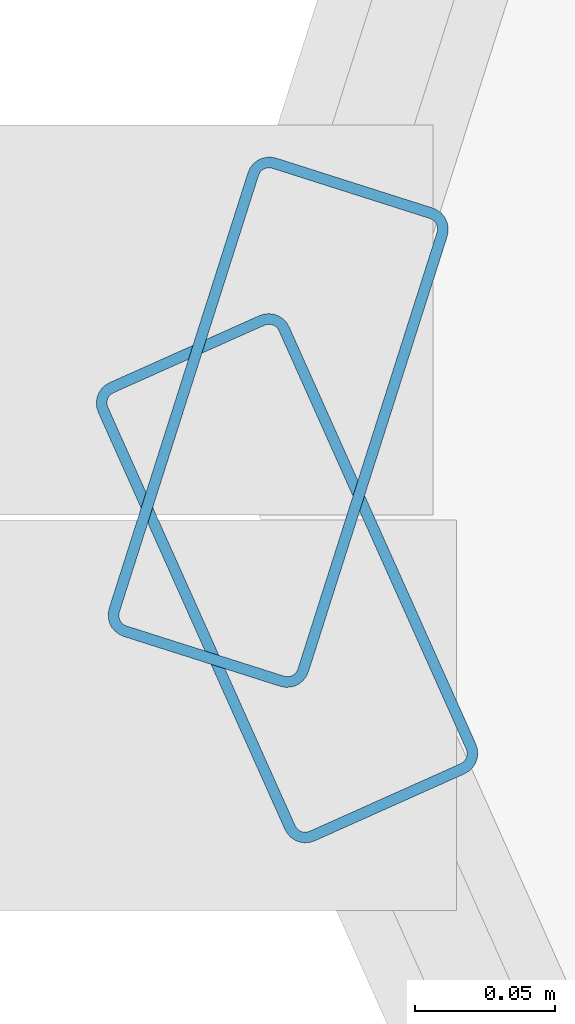
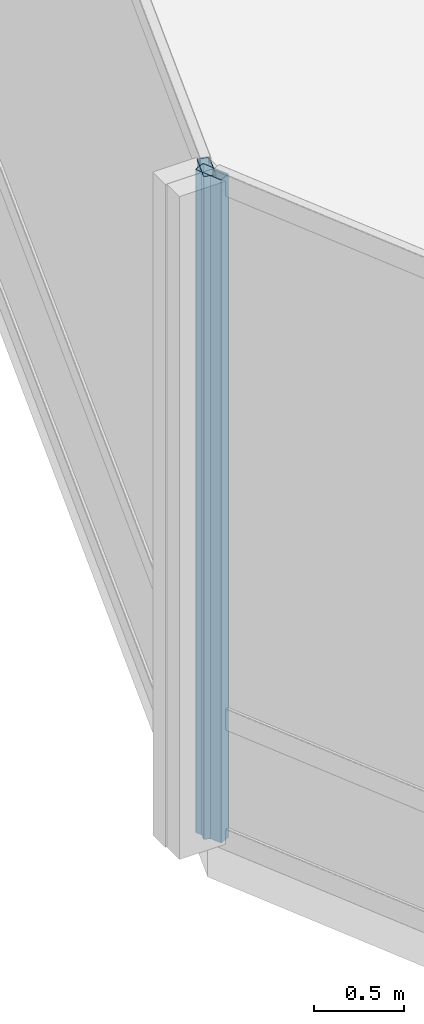
# One storey, part 6 of 23: 2 members, 2 elements without a shape of their own.
"""IFC4 building model written with IfcOpenShell, lengths in metres."""

from ifc_helpers import new_model, si_unit, direction, frame, origin, origin_2d, place, context, subcontext, project, spatial, hollow_rectangle, extrude, material, layer, layer_set, material_profile, profile_set, type_object, element, aggregate, save


model = new_model("IFC4")

# Units and contexts
model_context = context("Model", 3, precision=1e-05, world=origin(), true_north=direction((0.0, 1.0)))
body_context = subcontext(model_context, "Body", "Model", "MODEL_VIEW")
ifc_project = project(units=[si_unit("LENGTHUNIT", "METRE"), si_unit("AREAUNIT", "SQUARE_METRE"), si_unit("VOLUMEUNIT", "CUBIC_METRE"), si_unit("PLANEANGLEUNIT", "RADIAN"), si_unit("MASSUNIT", "GRAM", prefix="KILO")], contexts=[model_context])

# Site, building, storey
site_placement = place(None, origin())
site = spatial("IfcSite", under=ifc_project, at=site_placement, CompositionType="ELEMENT")
building_placement = place(site_placement, origin())
building = spatial("IfcBuilding", under=site, at=building_placement, Name="Solvaryn Broadcast Tower", CompositionType="ELEMENT")
storey_placement = place(building_placement, frame((0.0, 0.0, 285.199951171875)))
storey = spatial("IfcBuildingStorey", under=building, at=storey_placement, Name="L72", CompositionType="ELEMENT", Elevation=285.199951171875)

# Curtain wall, member
ifc_material_1 = material(Name="Aluminium and Terracotta Unitised Curtain Wall", Category="masonry")
ifc_layer = layer(ifc_material_1, 0.199951171875)
ifc_layer_set = layer_set([ifc_layer], Name="CW-SYS2-LOWMID")
curtain_wall_type = type_object("IfcCurtainWallType", Name="CW-SYS2-LOWMID", PredefinedType="NOTDEFINED", material=ifc_layer_set)
curtain_wall_1_placement = place(storey_placement, origin())
curtain_wall_1 = element("IfcCurtainWall", 1, at=curtain_wall_1_placement, inside=storey, type_object=curtain_wall_type, Name="L72 Curtain Wall DR1", PredefinedType="NOTDEFINED")
ifc_material_2 = material(Name="Anodised Aluminium 6063-T6", Category="aluminium")
ifc_material_profile = material_profile(ifc_material_2, hollow_rectangle(XDim=0.074951171875, YDim=0.179931640625, WallThickness=0.00390625, InnerFilletRadius=0.00390625, OuterFilletRadius=0.008056640625, at=origin_2d()))
ifc_profile_set = profile_set([ifc_material_profile], Name="Anodised Aluminium 6063-T6")
member_type = type_object("IfcMemberType", Name="CW-MUL-180", PredefinedType="MULLION", material=ifc_profile_set)
member_1_placement = place(storey_placement, frame((3.7470703125, 26.66455078125, 0.0), z_axis=(0.0, 0.0, 1.0), x_axis=(0.952794594701, -0.30361564569, 0.0)))
member_1 = element("IfcMember", 2, at=member_1_placement, type_object=member_type, Name="CWS2 mullion 3", PredefinedType="MULLION", context=body_context, shape_type="SweptSolid", body=[
    extrude(hollow_rectangle(XDim=0.074951171875, YDim=0.179931640625, WallThickness=0.00390625, InnerFilletRadius=0.00390625, OuterFilletRadius=0.008056640625, at=origin_2d()), origin(), (0.0, 0.0, 1.0), 4.52001953125),
])
aggregate(curtain_wall_1, [member_1])

curtain_wall_2_placement = place(storey_placement, origin())
curtain_wall_2 = element("IfcCurtainWall", 3, at=curtain_wall_2_placement, inside=storey, type_object=curtain_wall_type, Name="L72 Curtain Wall DR2", PredefinedType="NOTDEFINED")
member_2_placement = place(storey_placement, frame((3.750244140625, 26.608642578125, 0.0), z_axis=(0.0, 0.0, 1.0), x_axis=(0.912773530574, 0.408466010682, 0.0)))
member_2 = element("IfcMember", 4, at=member_2_placement, type_object=member_type, Name="CWS2 mullion 1", PredefinedType="MULLION", context=body_context, shape_type="SweptSolid", body=[
    extrude(hollow_rectangle(XDim=0.074951171875, YDim=0.179931640625, WallThickness=0.00390625, InnerFilletRadius=0.00390625, OuterFilletRadius=0.008056640625, at=origin_2d()), origin(), (0.0, 0.0, 1.0), 4.52001953125),
])
aggregate(curtain_wall_2, [member_2])

save(model, "model.ifc")
